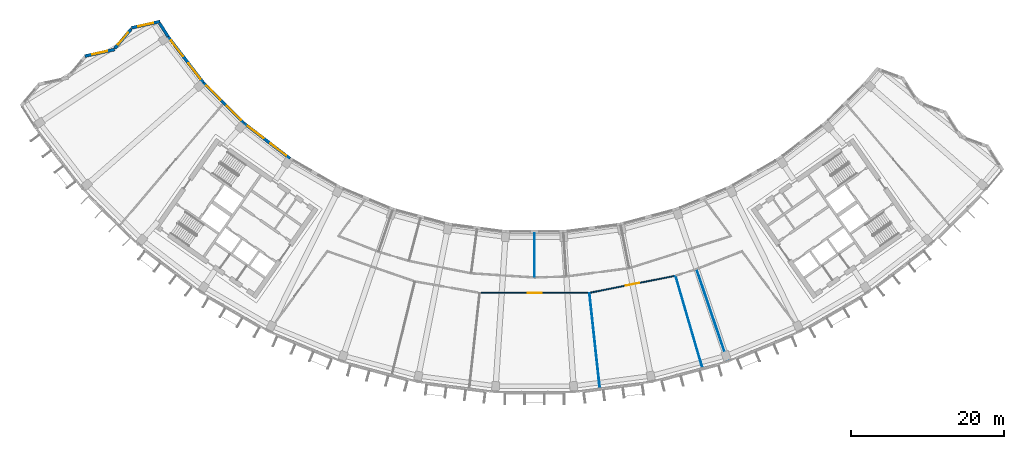
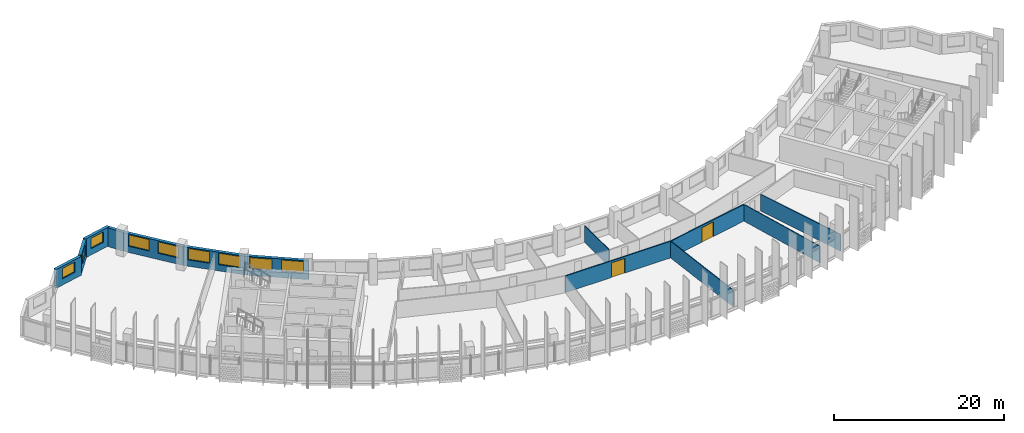
# One storey, part 5 of 28: 13 walls, 9 windows, 2 doors, 11 openings.
"""IFC4 building model written with IfcOpenShell, lengths in metres."""

import ifcopenshell
import ifcopenshell.guid

model = None  # the IFC model being written
_history = None  # IfcOwnerHistory: only IFC2X3 demands one
_inside = {}  # id of a spatial element -> (the spatial element, [elements in it])
_under = {}  # id of a project, library or spatial element -> (it, [spatial elements below it])
_declared = {}  # id of a project -> (the project, [libraries it declares])
_typed = {}  # id of a type object -> (the type object, [elements of that type])
_made_of = {}  # id of a material, layer set ... -> (it, [elements and type objects made of it])


def new_model(schema):
    """Start an empty IFC model of exactly this schema.

    Asked for "IFC4X3", IfcOpenShell would pick the latest addendum, in which some entities
    have other attributes; the version numbers below select the first issue.
    IFC2X3 requires an IfcOwnerHistory on every rooted entity: one is made here for all.
    """
    global model, _history
    if schema == "IFC4X3":
        model = ifcopenshell.file(schema_version=(4, 3, 0, 0))
    else:
        model = ifcopenshell.file(schema=schema)
    _inside.clear()
    _under.clear()
    _declared.clear()
    _typed.clear()
    _made_of.clear()
    _history = None
    if model.schema == "IFC2X3":
        org = make("IfcOrganization", Name="unknown")
        user = make(
            "IfcPersonAndOrganization",
            ThePerson=make("IfcPerson", FamilyName="unknown"),
            TheOrganization=org,
        )
        app = make(
            "IfcApplication",
            ApplicationDeveloper=org,
            Version="unknown",
            ApplicationFullName="unknown",
            ApplicationIdentifier="unknown",
        )
        _history = make(
            "IfcOwnerHistory",
            OwningUser=user,
            OwningApplication=app,
            ChangeAction="ADDED",
            CreationDate=0,
        )
    return model


def make(cls, **values):
    """One entity of the class cls with the attributes given. An attribute that is None is left unset."""
    return model.create_entity(
        cls, **{name: value for name, value in values.items() if value is not None}
    )


def rooted(cls, **values):
    """An entity with a GlobalId (a new one), such as an element, a storey or a relation."""
    return make(cls, GlobalId=ifcopenshell.guid.new(), OwnerHistory=_history, **values)


def si_unit(unit_type, name, prefix=None):
    """IfcSIUnit, for example si_unit("LENGTHUNIT", "METRE", prefix="MILLI")."""
    return make("IfcSIUnit", UnitType=unit_type, Prefix=prefix, Name=name)


def assignment(units):
    """IfcUnitAssignment: the units of a project."""
    return None if units is None else make("IfcUnitAssignment", Units=units)


def point(xyz):
    """IfcCartesianPoint."""
    return None if xyz is None else make("IfcCartesianPoint", Coordinates=xyz)


def direction(xyz):
    """IfcDirection."""
    return None if xyz is None else make("IfcDirection", DirectionRatios=xyz)


def frame(location, z_axis=None, x_axis=None):
    """IfcAxis2Placement3D, a coordinate frame: its origin and axes. An axis left out is left unset."""
    return make(
        "IfcAxis2Placement3D",
        Location=point(location),
        Axis=direction(z_axis),
        RefDirection=direction(x_axis),
    )


def frame_2d(location, x_axis=None):
    """IfcAxis2Placement2D, a coordinate frame in the plane: its origin and x axis."""
    return make(
        "IfcAxis2Placement2D", Location=point(location), RefDirection=direction(x_axis)
    )


def origin():
    """The frame at (0, 0, 0) with its axes left unset."""
    return frame((0.0, 0.0, 0.0))


def place(relative_to, where):
    """IfcLocalPlacement: puts the frame where relative to a parent placement (None: the world)."""
    return make(
        "IfcLocalPlacement", PlacementRelTo=relative_to, RelativePlacement=where
    )


def context(
    kind, dimensions, precision=None, world=None, true_north=None, identifier=None
):
    """IfcGeometricRepresentationContext, for example the 3D "Model" context."""
    return make(
        "IfcGeometricRepresentationContext",
        ContextIdentifier=identifier,
        ContextType=kind,
        CoordinateSpaceDimension=dimensions,
        Precision=precision,
        WorldCoordinateSystem=world,
        TrueNorth=true_north,
    )


def subcontext(parent, identifier, kind, view, scale=None):
    """IfcGeometricRepresentationSubContext, for example "Body" below "Model"."""
    return make(
        "IfcGeometricRepresentationSubContext",
        ContextIdentifier=identifier,
        ContextType=kind,
        ParentContext=parent,
        TargetScale=scale,
        TargetView=view,
    )


def project(units=None, contexts=None):
    """IfcProject with its units and contexts."""
    return rooted(
        "IfcProject",
        Name="project",
        RepresentationContexts=contexts,
        UnitsInContext=assignment(units),
    )


def spatial(cls, under=None, at=None, **own):
    """A site, building, storey or space (cls), placed at a placement, below another one or the project."""
    s = rooted(cls, ObjectPlacement=at, **own)
    if under is not None:
        _under.setdefault(under.id(), (under, []))[1].append(s)
    return s


def profile(cls, at=None, kind="AREA", **sizes):
    """A parametric profile (cls). Its sizes go by their IFC names, for example OverallWidth=200.0."""
    return make(cls, ProfileType=kind, Position=at, **sizes)


def rectangle(**sizes):
    """IfcRectangleProfileDef."""
    return profile("IfcRectangleProfileDef", **sizes)


def extrude(swept, where, along, depth):
    """IfcExtrudedAreaSolid: the profile swept, set in the frame where, extruded along a direction by depth."""
    return make(
        "IfcExtrudedAreaSolid",
        SweptArea=swept,
        Position=where,
        ExtrudedDirection=direction(along),
        Depth=depth,
    )


def shape(context_of_items, identifier, shape_type, items):
    """IfcShapeRepresentation: the items that make up one representation, for example the "Body"."""
    return make(
        "IfcShapeRepresentation",
        ContextOfItems=context_of_items,
        RepresentationIdentifier=identifier,
        RepresentationType=shape_type,
        Items=items,
    )


def material(Name=None, Category=None):
    """IfcMaterial."""
    return make("IfcMaterial", Name=Name, Category=Category)


def layer(
    of_material, thickness, ventilated=None, Name=None, Category=None, Priority=None
):
    """IfcMaterialLayer: one layer of a wall or slab, of a material (None: an air gap)."""
    return make(
        "IfcMaterialLayer",
        Material=of_material,
        LayerThickness=thickness,
        IsVentilated=ventilated,
        Name=Name,
        Category=Category,
        Priority=Priority,
    )


def layer_set(layers, Name=None):
    """IfcMaterialLayerSet."""
    return make("IfcMaterialLayerSet", MaterialLayers=layers, LayerSetName=Name)


def made_of(thing, what):
    """Note that an element or type object is made of a material, layer set ...; save() writes the relation."""
    if what is not None:
        _made_of.setdefault(what.id(), (what, []))[1].append(thing)
    return thing


def type_object(cls, material=None, **own):
    """A type object (cls), such as IfcWallType, which elements share."""
    return made_of(rooted(cls, **own), material)


def element(
    cls,
    number,
    at=None,
    inside=None,
    cuts=None,
    type_object=None,
    material=None,
    context=None,
    identifier="Body",
    shape_type=None,
    held_by="IfcProductDefinitionShape",
    body=None,
    shapes=None,
    **own,
):
    """One element of the class cls, such as IfcWall. Its Tag is "e" and its number.

    at: its placement. inside: the storey or other place that contains it. cuts: it is an
    opening in that element (IfcRelVoidsElement). A single representation is given by context,
    identifier, shape_type and body (its items); several are given by shapes. held_by: the class
    of the entity that holds the representations. save() writes the other relations.
    """
    e = rooted(cls, Tag="e%d" % number, ObjectPlacement=at, **own)
    if body is not None:
        shapes = [shape(context, identifier, shape_type, body)]
    if shapes is not None:
        e.Representation = make(held_by, Representations=shapes)
    if inside is not None:
        _inside.setdefault(inside.id(), (inside, []))[1].append(e)
    if cuts is not None:
        rooted(
            "IfcRelVoidsElement", RelatingBuildingElement=cuts, RelatedOpeningElement=e
        )
    if type_object is not None:
        _typed.setdefault(type_object.id(), (type_object, []))[1].append(e)
    return made_of(e, material)


def fill(opening, filler):
    """IfcRelFillsElement: the door or window that sits in an opening."""
    return rooted(
        "IfcRelFillsElement",
        RelatingOpeningElement=opening,
        RelatedBuildingElement=filler,
    )


def aggregate(whole, parts):
    """IfcRelAggregates: a whole, such as a stair, and the parts it consists of."""
    return rooted("IfcRelAggregates", RelatingObject=whole, RelatedObjects=parts)


def save(model, path):
    """Write the relations noted so far, then the file.

    IfcRelAggregates (storeys below a building ...), IfcRelContainedInSpatialStructure (elements
    in a storey), IfcRelDefinesByType, IfcRelAssociatesMaterial and IfcRelDeclares: one each for
    every whole, place, type object, material and project.
    """
    for whole, parts in _under.values():
        aggregate(whole, parts)
    for where, things in _inside.values():
        rooted(
            "IfcRelContainedInSpatialStructure",
            RelatedElements=things,
            RelatingStructure=where,
        )
    for kind, things in _typed.values():
        rooted("IfcRelDefinesByType", RelatedObjects=things, RelatingType=kind)
    for what, things in _made_of.values():
        rooted("IfcRelAssociatesMaterial", RelatedObjects=things, RelatingMaterial=what)
    for by, libraries in _declared.values():
        rooted("IfcRelDeclares", RelatingContext=by, RelatedDefinitions=libraries)
    model.write(path)


model = new_model("IFC4")

# Units and contexts
model_context = context("Model", 3, precision=1e-05, world=origin(), true_north=direction((0.0, 1.0)))
body_context = subcontext(model_context, "Body", "Model", "MODEL_VIEW")
ifc_project = project(units=[si_unit("LENGTHUNIT", "METRE"), si_unit("AREAUNIT", "SQUARE_METRE"), si_unit("VOLUMEUNIT", "CUBIC_METRE"), si_unit("PLANEANGLEUNIT", "RADIAN"), si_unit("MASSUNIT", "GRAM", prefix="KILO")], contexts=[model_context])

# Site, building, storey
site_placement = place(None, origin())
site = spatial("IfcSite", under=ifc_project, at=site_placement, CompositionType="ELEMENT")
building_placement = place(site_placement, origin())
building = spatial("IfcBuilding", under=site, at=building_placement, Name="Qamariyya Broadcast Tower", CompositionType="ELEMENT")
storey_placement = place(building_placement, frame((0.0, 0.0, 241.699951171875)))
storey = spatial("IfcBuildingStorey", under=building, at=storey_placement, Name="L58", CompositionType="ELEMENT", Elevation=241.699951171875)

# Wall, opening, door
ifc_material_1 = material(Name="Gypsum board partition")
ifc_layer_1 = layer(ifc_material_1, 0.14990234375)
ifc_layer_set_1 = layer_set([ifc_layer_1], Name="Corridor partition 150 EI 60")
wall_type_1 = type_object("IfcWallType", Name="Corridor partition 150 EI 60", PredefinedType="PARTITIONING", material=ifc_layer_set_1)
wall_1_placement = place(storey_placement, frame((7.16162109375, -65.4091796875, 0.0), z_axis=(0.0, 0.0, 1.0), x_axis=(-1.0, 0.0, 0.0)))
wall_1 = element("IfcWall", 1, at=wall_1_placement, inside=storey, type_object=wall_type_1, Name="Partition L58-015", PredefinedType="PARTITIONING", context=body_context, shape_type="SweptSolid", body=[
    extrude(rectangle(XDim=14.3232421875, YDim=0.14990234375, at=frame_2d((7.16162109375, 0.0))), origin(), (0.0, 0.0, 1.0), 2.400146484375),
])
opening_1_placement = place(wall_1_placement, frame((6.26171875, 0.0, 0.0)))
opening_1 = element("IfcOpeningElement", 2, at=opening_1_placement, cuts=wall_1, Name="Opening L58-D03", PredefinedType="OPENING", context=body_context, shape_type="SweptSolid", body=[
    extrude(rectangle(XDim=1.800048828125, YDim=2.10009765625, at=frame_2d((0.89990234375, 1.050048828125))), frame((0.0, 0.0849609375, 0.0), z_axis=(0.0, -1.0, 0.0), x_axis=(1.0, 0.0, 0.0)), (0.0, 0.0, 1.0), 0.169921875),
])
ifc_material_2 = material(Name="Timber fire door leaf", Category="wood")
door_type = type_object("IfcDoorType", Name="Double fire door 1800 x 2100 FD60", OperationType="NOTDEFINED", PredefinedType="DOOR", material=ifc_material_2)
door_1_placement = place(opening_1_placement, origin())
door_1 = element("IfcDoor", 3, at=door_1_placement, inside=storey, type_object=door_type, Name="Door L58-D03", OperationType="DOUBLE_DOOR_SINGLE_SWING", OverallHeight=2.10009765625, OverallWidth=1.800048828125, PredefinedType="DOOR", context=body_context, shape_type="SweptSolid", body=[
    extrude(rectangle(XDim=1.800048828125, YDim=2.10009765625, at=frame_2d((0.89990234375, 1.050048828125))), frame((0.0, 0.02490234375, 0.0), z_axis=(0.0, -1.0, 0.0), x_axis=(1.0, 0.0, 0.0)), (0.0, 0.0, 1.0), 0.050048828125),
])
fill(opening_1, door_1)

wall_2_placement = place(storey_placement, frame((18.41455078125, -63.170654296875, 0.0), z_axis=(0.0, 0.0, 1.0), x_axis=(-0.980782303344, -0.195105288106, 0.0)))
wall_2 = element("IfcWall", 4, at=wall_2_placement, inside=storey, type_object=wall_type_1, Name="Partition L58-020", PredefinedType="PARTITIONING", context=body_context, shape_type="SweptSolid", body=[
    extrude(rectangle(XDim=11.473388671875, YDim=0.14990234375, at=frame_2d((5.73681640625, 0.0))), origin(), (0.0, 0.0, 1.0), 2.400146484375),
])
opening_2_placement = place(wall_2_placement, frame((4.836669921875, 0.0, 0.0)))
opening_2 = element("IfcOpeningElement", 5, at=opening_2_placement, cuts=wall_2, Name="Opening L58-D04", PredefinedType="OPENING", context=body_context, shape_type="SweptSolid", body=[
    extrude(rectangle(XDim=1.800048828125, YDim=2.10009765625, at=frame_2d((0.89990234375, 1.050048828125))), frame((0.0, 0.0849609375, 0.0), z_axis=(0.0, -1.0, 0.0), x_axis=(1.0, 0.0, 0.0)), (0.0, 0.0, 1.0), 0.169921875),
])
door_2_placement = place(opening_2_placement, origin())
door_2 = element("IfcDoor", 6, at=door_2_placement, inside=storey, type_object=door_type, Name="Door L58-D04", OperationType="DOUBLE_DOOR_SINGLE_SWING", OverallHeight=2.10009765625, OverallWidth=1.800048828125, PredefinedType="DOOR", context=body_context, shape_type="SweptSolid", body=[
    extrude(rectangle(XDim=1.800048828125, YDim=2.10009765625, at=frame_2d((0.89990234375, 1.050048828125))), frame((0.0, 0.02490234375, 0.0), z_axis=(0.0, -1.0, 0.0), x_axis=(1.0, 0.0, 0.0)), (0.0, 0.0, 1.0), 0.050048828125),
])
fill(opening_2, door_2)

# Walls
ifc_layer_2 = layer(ifc_material_1, 0.10009765625)
ifc_layer_set_2 = layer_set([ifc_layer_2], Name="Partition 100")
wall_type_2 = type_object("IfcWallType", Name="Partition 100", PredefinedType="PARTITIONING", material=ifc_layer_set_2)
wall_3_placement = place(storey_placement, frame((0.0, -57.627197265625, 0.0), z_axis=(0.0, 0.0, 1.0), x_axis=(0.0, -1.0, 0.0)))
element("IfcWall", 7, at=wall_3_placement, inside=storey, type_object=wall_type_2, Name="Partition L58-017", PredefinedType="PARTITIONING", context=body_context, shape_type="SweptSolid", body=[
    extrude(rectangle(XDim=5.69775390625, YDim=0.10009765625, at=frame_2d((2.848876953125, 0.0))), origin(), (0.0, 0.0, 1.0), 2.400146484375),
])
wall_4_placement = place(storey_placement, frame((8.522216796875, -77.835205078125, 0.0), z_axis=(0.0, 0.0, 1.0), x_axis=(-0.108852796, 0.994057880006, 0.0)))
element("IfcWall", 8, at=wall_4_placement, inside=storey, type_object=wall_type_2, Name="Partition L58-021", PredefinedType="PARTITIONING", context=body_context, shape_type="SweptSolid", body=[
    extrude(rectangle(XDim=12.42529296875, YDim=0.10009765625, at=frame_2d((6.212646484375, 0.0))), origin(), (0.0, 0.0, 1.0), 2.400146484375),
])
wall_5_placement = place(storey_placement, frame((21.912841796875, -75.171630859375, 0.0), z_axis=(0.0, 0.0, 1.0), x_axis=(-0.27985286912, 0.96004290094, 0.0)))
element("IfcWall", 9, at=wall_5_placement, inside=storey, type_object=wall_type_2, Name="Partition L58-027", PredefinedType="PARTITIONING", context=body_context, shape_type="SweptSolid", body=[
    extrude(rectangle(XDim=12.425537109375, YDim=0.10009765625, at=frame_2d((6.212890625, 0.0))), origin(), (0.0, 0.0, 1.0), 2.400146484375),
])
wall_6_placement = place(storey_placement, frame((25.217041015625, -74.28662109375, 0.0), z_axis=(0.0, 0.0, 1.0), x_axis=(-0.321447438057, 0.946927423072, 0.0)))
element("IfcWall", 10, at=wall_6_placement, inside=storey, type_object=wall_type_2, Name="Partition L58-028", PredefinedType="PARTITIONING", context=body_context, shape_type="SweptSolid", body=[
    extrude(rectangle(XDim=12.5751953125, YDim=0.10009765625, at=frame_2d((6.28759765625, 0.0))), origin(), (0.0, 0.0, 1.0), 2.400146484375),
])

# Wall, opening, window
ifc_material_3 = material(Name="Terracotta", Category="masonry")
ifc_layer_3 = layer(ifc_material_3, 0.39990234375)
ifc_layer_set_3 = layer_set([ifc_layer_3], Name="Terracotta clad wall 400")
wall_type_3 = type_object("IfcWallType", Name="Terracotta clad wall 400", PredefinedType="SOLIDWALL", material=ifc_layer_set_3)
wall_7_placement = place(storey_placement, frame((-48.923095703125, -29.968017578125, 0.0), z_axis=(0.0, 0.0, 1.0), x_axis=(-0.976103067046, -0.217308082002, 0.0)))
wall_7 = element("IfcWall", 11, at=wall_7_placement, inside=storey, type_object=wall_type_3, Name="e-wl-L58-capW0", PredefinedType="SOLIDWALL", context=body_context, shape_type="SweptSolid", body=[
    extrude(rectangle(XDim=3.833251953125, YDim=0.39990234375, at=frame_2d((1.91650390625, 0.0))), origin(), (0.0, 0.0, 1.0), 2.699951171875),
])
opening_3_placement = place(wall_7_placement, frame((0.916748046875, 0.0, 0.89990234375)))
opening_3 = element("IfcOpeningElement", 12, at=opening_3_placement, cuts=wall_7, Name="Opening W4", PredefinedType="OPENING", context=body_context, shape_type="SweptSolid", body=[
    extrude(rectangle(XDim=2.0, YDim=1.5, at=frame_2d((1.0, 0.75))), frame((0.0, 0.2099609375, 0.0), z_axis=(0.0, -1.0, 0.0), x_axis=(1.0, 0.0, 0.0)), (0.0, 0.0, 1.0), 0.419921875),
])
ifc_material_4 = material(Name="Clear low-e double glazed unit in aluminium frame", Category="aluminium")
window_type_1 = type_object("IfcWindowType", Name="Horn bay window 2000 x 1500", PartitioningType="SINGLE_PANEL", PredefinedType="WINDOW", material=ifc_material_4)
window_1_placement = place(opening_3_placement, origin())
window_1 = element("IfcWindow", 13, at=window_1_placement, inside=storey, type_object=window_type_1, Name="e-w-L58-capW0", OverallHeight=1.5, OverallWidth=2.0, PartitioningType="SINGLE_PANEL", PredefinedType="WINDOW", context=body_context, shape_type="SweptSolid", body=[
    extrude(rectangle(XDim=2.0, YDim=1.5, at=frame_2d((1.0, 0.75))), frame((0.0, 0.030029296875, 0.0), z_axis=(0.0, -1.0, 0.0), x_axis=(1.0, 0.0, 0.0)), (0.0, 0.0, 1.0), 0.06005859375),
])
fill(opening_3, window_1)

wall_8_placement = place(storey_placement, frame((-52.687255859375, -30.940673828125, 0.0), z_axis=(0.0, 0.0, 1.0), x_axis=(-0.644061138851, -0.764974018789, 0.0)))
wall_8 = element("IfcWall", 14, at=wall_8_placement, inside=storey, type_object=wall_type_3, Name="e-wl-L58-capW1", PredefinedType="SOLIDWALL", context=body_context, shape_type="SweptSolid", body=[
    extrude(rectangle(XDim=3.325439453125, YDim=0.39990234375, at=frame_2d((1.66259765625, 0.0))), origin(), (0.0, 0.0, 1.0), 2.699951171875),
])
opening_4_placement = place(wall_8_placement, frame((0.662841796875, 0.0, 0.89990234375)))
opening_4 = element("IfcOpeningElement", 15, at=opening_4_placement, cuts=wall_8, Name="Opening W4", PredefinedType="OPENING", context=body_context, shape_type="SweptSolid", body=[
    extrude(rectangle(XDim=2.0, YDim=1.5, at=frame_2d((1.0, 0.75))), frame((0.0, 0.2099609375, 0.0), z_axis=(0.0, -1.0, 0.0), x_axis=(1.0, 0.0, 0.0)), (0.0, 0.0, 1.0), 0.419921875),
])
window_2_placement = place(opening_4_placement, origin())
window_2 = element("IfcWindow", 16, at=window_2_placement, inside=storey, type_object=window_type_1, Name="e-w-L58-capW1", OverallHeight=1.5, OverallWidth=2.0, PartitioningType="SINGLE_PANEL", PredefinedType="WINDOW", context=body_context, shape_type="SweptSolid", body=[
    extrude(rectangle(XDim=2.0, YDim=1.5, at=frame_2d((1.0, 0.75))), frame((0.0, 0.030029296875, 0.0), z_axis=(0.0, -1.0, 0.0), x_axis=(1.0, 0.0, 0.0)), (0.0, 0.0, 1.0), 0.06005859375),
])
fill(opening_4, window_2)

wall_9_placement = place(storey_placement, frame((-54.851318359375, -33.6240234375, 0.0), z_axis=(0.0, 0.0, 1.0), x_axis=(-0.976077165027, -0.217424395857, 0.0)))
wall_9 = element("IfcWall", 17, at=wall_9_placement, inside=storey, type_object=wall_type_3, Name="e-wl-L58-capW2", PredefinedType="SOLIDWALL", context=body_context, shape_type="SweptSolid", body=[
    extrude(rectangle(XDim=3.977294921875, YDim=0.39990234375, at=frame_2d((1.98876953125, 0.0))), origin(), (0.0, 0.0, 1.0), 2.699951171875),
])
opening_5_placement = place(wall_9_placement, frame((0.988525390625, 0.0, 0.89990234375)))
opening_5 = element("IfcOpeningElement", 18, at=opening_5_placement, cuts=wall_9, Name="Opening W4", PredefinedType="OPENING", context=body_context, shape_type="SweptSolid", body=[
    extrude(rectangle(XDim=2.0, YDim=1.5, at=frame_2d((1.0, 0.75))), frame((0.0, 0.2099609375, 0.0), z_axis=(0.0, -1.0, 0.0), x_axis=(1.0, 0.0, 0.0)), (0.0, 0.0, 1.0), 0.419921875),
])
window_3_placement = place(opening_5_placement, origin())
window_3 = element("IfcWindow", 19, at=window_3_placement, inside=storey, type_object=window_type_1, Name="e-w-L58-capW2", OverallHeight=1.5, OverallWidth=2.0, PartitioningType="SINGLE_PANEL", PredefinedType="WINDOW", context=body_context, shape_type="SweptSolid", body=[
    extrude(rectangle(XDim=2.0, YDim=1.5, at=frame_2d((1.0, 0.75))), frame((0.0, 0.030029296875, 0.0), z_axis=(0.0, -1.0, 0.0), x_axis=(1.0, 0.0, 0.0)), (0.0, 0.0, 1.0), 0.06005859375),
])
fill(opening_5, window_3)

# Wall
wall_10_placement = place(storey_placement, frame((-47.865966796875, -31.94970703125, 0.0), z_axis=(0.0, 0.0, 1.0), x_axis=(-0.537529838959, 0.843244728551, 0.0)))
element("IfcWall", 20, at=wall_10_placement, inside=storey, type_object=wall_type_3, Name="e-wl-L58-in00", PredefinedType="SOLIDWALL", context=body_context, shape_type="SweptSolid", body=[
    extrude(rectangle(XDim=2.051513671875, YDim=0.39990234375, at=frame_2d((1.02587890625, 0.0))), origin(), (0.0, 0.0, 1.0), 2.699951171875),
])

# Wall, openings, windows
wall_11_placement = place(storey_placement, frame((-43.25341796875, -37.965576171875, 0.0), z_axis=(0.0, 0.0, 1.0), x_axis=(-0.608758787171, 0.793355367438, 0.0)))
wall_11 = element("IfcWall", 21, at=wall_11_placement, inside=storey, type_object=wall_type_3, Name="e-wl-L58-in10", PredefinedType="SOLIDWALL", context=body_context, shape_type="SweptSolid", body=[
    extrude(rectangle(XDim=7.563720703125, YDim=0.39990234375, at=frame_2d((3.78173828125, 0.0))), origin(), (0.0, 0.0, 1.0), 2.699951171875),
])
opening_6_placement = place(wall_11_placement, frame((4.364501953125, 0.0, 0.89990234375)))
opening_6 = element("IfcOpeningElement", 22, at=opening_6_placement, cuts=wall_11, Name="Opening W1", PredefinedType="OPENING", context=body_context, shape_type="SweptSolid", body=[
    extrude(rectangle(XDim=2.60009765625, YDim=1.64990234375, at=frame_2d((1.300048828125, 0.824951171875))), frame((0.0, 0.2099609375, 0.0), z_axis=(0.0, -1.0, 0.0), x_axis=(1.0, 0.0, 0.0)), (0.0, 0.0, 1.0), 0.419921875),
])
opening_7_placement = place(wall_11_placement, frame((0.613525390625, 0.0, 0.89990234375)))
opening_7 = element("IfcOpeningElement", 23, at=opening_7_placement, cuts=wall_11, Name="Opening W1", PredefinedType="OPENING", context=body_context, shape_type="SweptSolid", body=[
    extrude(rectangle(XDim=2.60009765625, YDim=1.64990234375, at=frame_2d((1.300048828125, 0.824951171875))), frame((0.0, 0.2099609375, 0.0), z_axis=(0.0, -1.0, 0.0), x_axis=(1.0, 0.0, 0.0)), (0.0, 0.0, 1.0), 0.419921875),
])
window_type_2 = type_object("IfcWindowType", Name="Ribbon window 2600 x 1650", PartitioningType="SINGLE_PANEL", PredefinedType="WINDOW", material=ifc_material_4)
window_4_placement = place(opening_6_placement, origin())
window_4 = element("IfcWindow", 24, at=window_4_placement, inside=storey, type_object=window_type_2, Name="e-w-L58-in01-0", OverallHeight=1.64990234375, OverallWidth=2.60009765625, PartitioningType="SINGLE_PANEL", PredefinedType="WINDOW", context=body_context, shape_type="SweptSolid", body=[
    extrude(rectangle(XDim=2.60009765625, YDim=1.64990234375, at=frame_2d((1.300048828125, 0.824951171875))), frame((0.0, 0.030029296875, 0.0), z_axis=(0.0, -1.0, 0.0), x_axis=(1.0, 0.0, 0.0)), (0.0, 0.0, 1.0), 0.06005859375),
])
fill(opening_6, window_4)
window_5_placement = place(opening_7_placement, origin())
window_5 = element("IfcWindow", 25, at=window_5_placement, inside=storey, type_object=window_type_2, Name="e-w-L58-in01-1", OverallHeight=1.64990234375, OverallWidth=2.60009765625, PartitioningType="SINGLE_PANEL", PredefinedType="WINDOW", context=body_context, shape_type="SweptSolid", body=[
    extrude(rectangle(XDim=2.60009765625, YDim=1.64990234375, at=frame_2d((1.300048828125, 0.824951171875))), frame((0.0, 0.030029296875, 0.0), z_axis=(0.0, -1.0, 0.0), x_axis=(1.0, 0.0, 0.0)), (0.0, 0.0, 1.0), 0.06005859375),
])
fill(opening_7, window_5)

wall_12_placement = place(storey_placement, frame((-37.9814453125, -43.23291015625, 0.0), z_axis=(0.0, 0.0, 1.0), x_axis=(-0.707106781187, 0.707106781187, 0.0)))
wall_12 = element("IfcWall", 26, at=wall_12_placement, inside=storey, type_object=wall_type_3, Name="e-wl-L58-in20", PredefinedType="SOLIDWALL", context=body_context, shape_type="SweptSolid", body=[
    extrude(rectangle(XDim=7.4267578125, YDim=0.39990234375, at=frame_2d((3.71337890625, 0.0))), origin(), (0.0, 0.0, 1.0), 2.699951171875),
])
opening_8_placement = place(wall_12_placement, frame((4.28857421875, 0.0, 0.89990234375)))
opening_8 = element("IfcOpeningElement", 27, at=opening_8_placement, cuts=wall_12, Name="Opening W1", PredefinedType="OPENING", context=body_context, shape_type="SweptSolid", body=[
    extrude(rectangle(XDim=2.60009765625, YDim=1.64990234375, at=frame_2d((1.300048828125, 0.824951171875))), frame((0.0, 0.2099609375, 0.0), z_axis=(0.0, -1.0, 0.0), x_axis=(1.0, 0.0, 0.0)), (0.0, 0.0, 1.0), 0.419921875),
])
opening_9_placement = place(wall_12_placement, frame((0.537841796875, 0.0, 0.89990234375)))
opening_9 = element("IfcOpeningElement", 28, at=opening_9_placement, cuts=wall_12, Name="Opening W1", PredefinedType="OPENING", context=body_context, shape_type="SweptSolid", body=[
    extrude(rectangle(XDim=2.60009765625, YDim=1.64990234375, at=frame_2d((1.300048828125, 0.824951171875))), frame((0.0, 0.2099609375, 0.0), z_axis=(0.0, -1.0, 0.0), x_axis=(1.0, 0.0, 0.0)), (0.0, 0.0, 1.0), 0.419921875),
])
window_6_placement = place(opening_8_placement, origin())
window_6 = element("IfcWindow", 29, at=window_6_placement, inside=storey, type_object=window_type_2, Name="e-w-L58-in02-0", OverallHeight=1.64990234375, OverallWidth=2.60009765625, PartitioningType="SINGLE_PANEL", PredefinedType="WINDOW", context=body_context, shape_type="SweptSolid", body=[
    extrude(rectangle(XDim=2.60009765625, YDim=1.64990234375, at=frame_2d((1.300048828125, 0.824951171875))), frame((0.0, 0.030029296875, 0.0), z_axis=(0.0, -1.0, 0.0), x_axis=(1.0, 0.0, 0.0)), (0.0, 0.0, 1.0), 0.06005859375),
])
fill(opening_8, window_6)
window_7_placement = place(opening_9_placement, origin())
window_7 = element("IfcWindow", 30, at=window_7_placement, inside=storey, type_object=window_type_2, Name="e-w-L58-in02-1", OverallHeight=1.64990234375, OverallWidth=2.60009765625, PartitioningType="SINGLE_PANEL", PredefinedType="WINDOW", context=body_context, shape_type="SweptSolid", body=[
    extrude(rectangle(XDim=2.60009765625, YDim=1.64990234375, at=frame_2d((1.300048828125, 0.824951171875))), frame((0.0, 0.030029296875, 0.0), z_axis=(0.0, -1.0, 0.0), x_axis=(1.0, 0.0, 0.0)), (0.0, 0.0, 1.0), 0.06005859375),
])
fill(opening_9, window_7)

wall_13_placement = place(storey_placement, frame((-31.953369140625, -47.86669921875, 0.0), z_axis=(0.0, 0.0, 1.0), x_axis=(-0.793356365089, 0.608757486995, 0.0)))
wall_13 = element("IfcWall", 31, at=wall_13_placement, inside=storey, type_object=wall_type_3, Name="e-wl-L58-in30", PredefinedType="SOLIDWALL", context=body_context, shape_type="SweptSolid", body=[
    extrude(rectangle(XDim=7.578125, YDim=0.39990234375, at=frame_2d((3.7890625, 0.0))), origin(), (0.0, 0.0, 1.0), 2.699951171875),
])
opening_10_placement = place(wall_13_placement, frame((4.364501953125, 0.0, 0.89990234375)))
opening_10 = element("IfcOpeningElement", 32, at=opening_10_placement, cuts=wall_13, Name="Opening W1", PredefinedType="OPENING", context=body_context, shape_type="SweptSolid", body=[
    extrude(rectangle(XDim=2.60009765625, YDim=1.64990234375, at=frame_2d((1.300048828125, 0.824951171875))), frame((0.0, 0.2099609375, 0.0), z_axis=(0.0, -1.0, 0.0), x_axis=(1.0, 0.0, 0.0)), (0.0, 0.0, 1.0), 0.419921875),
])
opening_11_placement = place(wall_13_placement, frame((0.613525390625, 0.0, 0.89990234375)))
opening_11 = element("IfcOpeningElement", 33, at=opening_11_placement, cuts=wall_13, Name="Opening W1", PredefinedType="OPENING", context=body_context, shape_type="SweptSolid", body=[
    extrude(rectangle(XDim=2.60009765625, YDim=1.64990234375, at=frame_2d((1.300048828125, 0.824951171875))), frame((0.0, 0.2099609375, 0.0), z_axis=(0.0, -1.0, 0.0), x_axis=(1.0, 0.0, 0.0)), (0.0, 0.0, 1.0), 0.419921875),
])
window_8_placement = place(opening_10_placement, origin())
window_8 = element("IfcWindow", 34, at=window_8_placement, inside=storey, type_object=window_type_2, Name="e-w-L58-in03-0", OverallHeight=1.64990234375, OverallWidth=2.60009765625, PartitioningType="SINGLE_PANEL", PredefinedType="WINDOW", context=body_context, shape_type="SweptSolid", body=[
    extrude(rectangle(XDim=2.60009765625, YDim=1.64990234375, at=frame_2d((1.300048828125, 0.824951171875))), frame((0.0, 0.030029296875, 0.0), z_axis=(0.0, -1.0, 0.0), x_axis=(1.0, 0.0, 0.0)), (0.0, 0.0, 1.0), 0.06005859375),
])
fill(opening_10, window_8)
window_9_placement = place(opening_11_placement, origin())
window_9 = element("IfcWindow", 35, at=window_9_placement, inside=storey, type_object=window_type_2, Name="e-w-L58-in03-1", OverallHeight=1.64990234375, OverallWidth=2.60009765625, PartitioningType="SINGLE_PANEL", PredefinedType="WINDOW", context=body_context, shape_type="SweptSolid", body=[
    extrude(rectangle(XDim=2.60009765625, YDim=1.64990234375, at=frame_2d((1.300048828125, 0.824951171875))), frame((0.0, 0.030029296875, 0.0), z_axis=(0.0, -1.0, 0.0), x_axis=(1.0, 0.0, 0.0)), (0.0, 0.0, 1.0), 0.06005859375),
])
fill(opening_11, window_9)

save(model, "model.ifc")
